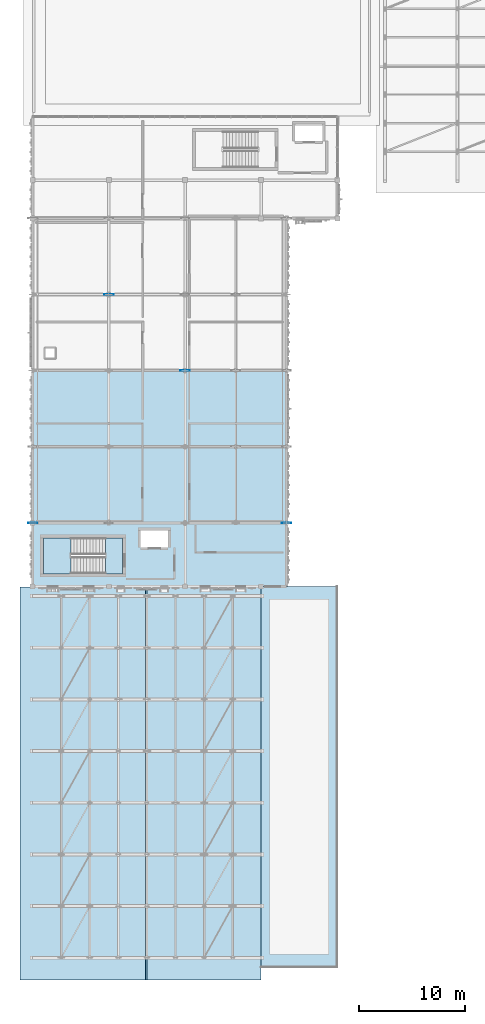
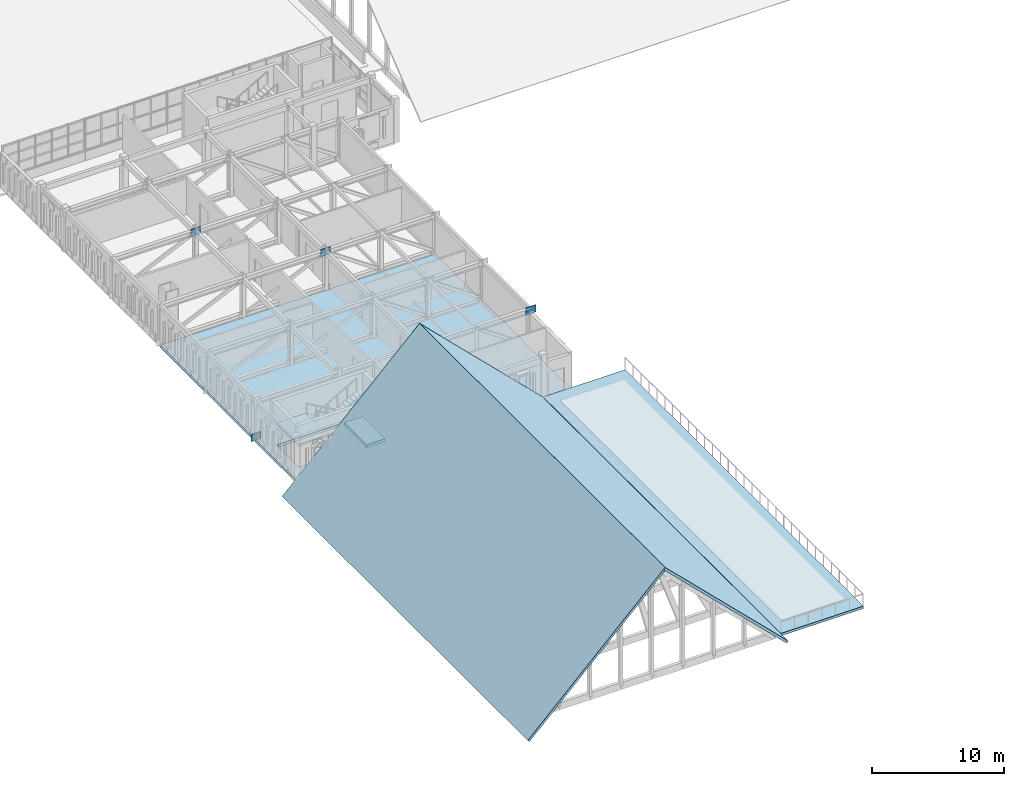
# One storey, part 32 of 79: 6 slabs, 4 plates, 1 element without a shape of its own.
"""IFC4 building model written with IfcOpenShell, lengths in metres."""

from ifc_helpers import new_model, si_unit, direction, frame, origin, origin_2d, place, context, subcontext, project, spatial, polyline, rectangle, outline, extrude, material, layer, layer_set, type_object, element, aggregate, save


model = new_model("IFC4")

# Units and contexts
model_context = context("Model", 3, precision=1e-05, world=origin(), true_north=direction((0.0, 1.0)))
body_context = subcontext(model_context, "Body", "Model", "MODEL_VIEW")
ifc_project = project(units=[si_unit("LENGTHUNIT", "METRE"), si_unit("AREAUNIT", "SQUARE_METRE"), si_unit("VOLUMEUNIT", "CUBIC_METRE"), si_unit("PLANEANGLEUNIT", "RADIAN"), si_unit("MASSUNIT", "GRAM", prefix="KILO")], contexts=[model_context])

# Site, building, storey
site_placement = place(None, origin())
site = spatial("IfcSite", under=ifc_project, at=site_placement, CompositionType="ELEMENT")
building_placement = place(site_placement, origin())
building = spatial("IfcBuilding", under=site, at=building_placement, Name="Nzembalo Square Collegiate School", CompositionType="ELEMENT")
storey_placement = place(building_placement, frame((0.0, 0.0, 9.52001953125)))
storey = spatial("IfcBuildingStorey", under=building, at=storey_placement, Name="L02", CompositionType="ELEMENT", Elevation=9.52001953125)

# Stair, slab
ifc_material_1 = material(Name="Precast concrete C40/50", Category="concrete")
stair_type = type_object("IfcStairType", Name="ST-24R", PredefinedType="HALF_TURN_STAIR", material=ifc_material_1)
stair_placement = place(storey_placement, origin())
stair = element("IfcStair", 1, at=stair_placement, inside=storey, type_object=stair_type, Name="Escape stair ST-04 (C1 L02)", PredefinedType="HALF_TURN_STAIR")
ifc_material_2 = material(Name="Precast concrete C40/50", Category="concrete")
ifc_layer_1 = layer(ifc_material_2, 0.199951171875, Name="Precast concrete C40/50")
ifc_layer_set_1 = layer_set([ifc_layer_1], Name="Precast concrete C40/50")
slab_type_1 = type_object("IfcSlabType", Name="SL-LDG", PredefinedType="LANDING", material=ifc_layer_set_1)
slab_1_placement = place(storey_placement, frame((0.0, 0.0, 1.840087890625)))
slab_1 = element("IfcSlab", 2, at=slab_1_placement, type_object=slab_type_1, Name="ST-04 landing 1", PredefinedType="LANDING", context=body_context, shape_type="SweptSolid", body=[
    extrude(outline(polyline([(12.0, 49.0), (9.39990234375, 49.0), (9.39990234375, 45.60009765625), (12.0, 45.60009765625), (12.0, 49.0)])), origin(), (0.0, 0.0, 1.0), 0.199951171875),
])
aggregate(stair, [slab_1])

# Plates
ifc_material_3 = material(Name="Steel S355", Category="steel")
ifc_layer_2 = layer(ifc_material_3, 0.033935546875, Name="Steel S355")
ifc_layer_set_2 = layer_set([ifc_layer_2], Name="Steel S355")
plate_type_1 = type_object("IfcPlateType", Name="KN01", PredefinedType="SHEET", material=ifc_layer_set_2)
for number, where, z_axis, x_axis, name in (
    (3, (32.39990234375, 50.39990234375, 3.22021484375), (0.0, 0.0, 1.0), (1.0, 0.0, 0.0), "TT-4A-01 transfer gusset plate KN01"),
    (4, (22.800048828125, 64.800048828125, 3.22021484375), (0.0, 0.0, 1.0), (1.0, 0.0, 0.0), "TT-4A-03 transfer gusset plate KN01"),
    (5, (15.60009765625, 72.0, 3.22021484375), (0.0, 0.0, 1.0), (1.0, 0.0, 0.0), "TT-4A-04 transfer gusset plate KN01"),
):
    element("IfcPlate", number, at=place(storey_placement, frame(where, z_axis=z_axis, x_axis=x_axis)), inside=storey, type_object=plate_type_1, Name=name, PredefinedType="SHEET", context=body_context, shape_type="SweptSolid", body=[
        extrude(rectangle(XDim=0.8798828125, YDim=0.033935546875, at=origin_2d()), origin(), (0.0, 0.0, 1.0), 0.679931640625),
    ])
ifc_material_4 = material(Name="Steel S355", Category="steel")
ifc_layer_3 = layer(ifc_material_4, 0.031982421875, Name="Steel S355")
ifc_layer_set_3 = layer_set([ifc_layer_3], Name="Steel S355")
plate_type_2 = type_object("IfcPlateType", Name="KN02", PredefinedType="SHEET", material=ifc_layer_set_3)
plate_placement = place(storey_placement, frame((8.39990234375, 50.39990234375, -0.06005859375), z_axis=(0.0, 0.0, 1.0), x_axis=(1.0, 0.0, 0.0)))
element("IfcPlate", 6, at=plate_placement, inside=storey, type_object=plate_type_2, Name="TT-4A-01 transfer gusset plate KN02", PredefinedType="SHEET", context=body_context, shape_type="SweptSolid", body=[
    extrude(rectangle(XDim=0.820068359375, YDim=0.031982421875, at=origin_2d()), origin(), (0.0, 0.0, 1.0), 0.639892578125),
])

# Slabs
ifc_material_5 = material(Name="CLT CL24", Category="wood")
ifc_layer_4 = layer(ifc_material_5, 0.219970703125, Name="CLT CL24")
ifc_layer_set_4 = layer_set([ifc_layer_4], Name="CLT CL24")
slab_type_2 = type_object("IfcSlabType", Name="RS-P22", PredefinedType="ROOF", material=ifc_layer_set_4)
slab_2_placement = place(storey_placement, frame((7.199951171875, 7.199951171875, -1.177734375), z_axis=(-0.700469359956, 0.0, 0.713682475448), x_axis=(0.713682475448, 0.0, 0.700469359956)))
element("IfcSlab", 7, at=slab_2_placement, inside=storey, type_object=slab_type_2, Name="Sports Hall Roof W slope RS-SH1-W", PredefinedType="ROOF", context=body_context, shape_type="SweptSolid", body=[
    extrude(outline(polyline([(0.0, 0.0), (16.814200169985444, 0.0), (16.814200169985444, 37.16015625000001), (0.0, 37.16015625000001), (0.0, 0.0)])), origin(), (0.0, 0.0, -1.0), 0.219970703125),
])
slab_3_placement = place(storey_placement, frame((19.199951171875, 7.199951171875, 10.60009765625), z_axis=(0.700469091135, 0.0, 0.713682739293), x_axis=(0.713682739293, 0.0, -0.700469091135)))
element("IfcSlab", 8, at=slab_3_placement, inside=storey, type_object=slab_type_2, Name="Sports Hall Roof E slope RS-SH1-E", PredefinedType="ROOF", context=body_context, shape_type="SweptSolid", body=[
    extrude(outline(polyline([(0.0, 0.0), (15.076740928730292, 0.0), (15.076740928730292, 37.16015625), (0.0, 37.16015625), (0.0, 0.0)])), origin(), (0.0, 0.0, -1.0), 0.219970703125),
])
ifc_material_6 = material(Name="Concrete C35/45", Category="concrete")
ifc_layer_5 = layer(ifc_material_6, 0.22998046875, Name="Concrete C35/45")
ifc_layer_set_5 = layer_set([ifc_layer_5], Name="Concrete C35/45")
slab_type_3 = type_object("IfcSlabType", Name="SL-02E", PredefinedType="FLOOR", material=ifc_layer_set_5)
slab_4_placement = place(storey_placement, frame((0.0, 0.0, -0.22998046875)))
element("IfcSlab", 9, at=slab_4_placement, inside=storey, type_object=slab_type_3, Name="Slab SL-L02-63", PredefinedType="FLOOR", context=body_context, shape_type="SweptSolid", body=[
    extrude(outline(polyline([(30.0, 8.39990234375), (37.199951171875, 8.39990234375), (37.199951171875, 44.39990234375), (30.0, 44.39990234375), (30.0, 8.39990234375)])), origin(), (0.0, 0.0, 1.0), 0.22998046875),
])
ifc_material_7 = material(Name="CLT CL24", Category="wood")
ifc_layer_6 = layer(ifc_material_7, 0.278076171875, Name="CLT CL24")
ifc_layer_set_6 = layer_set([ifc_layer_6], Name="CLT CL24")
slab_type_4 = type_object("IfcSlabType", Name="SL-02", PredefinedType="FLOOR", material=ifc_layer_set_6)
slab_5_placement = place(storey_placement, frame((0.0, 0.0, -0.278076171875)))
element("IfcSlab", 10, at=slab_5_placement, inside=storey, type_object=slab_type_4, Name="Slab SL-L02-53", PredefinedType="FLOOR", context=body_context, shape_type="SweptSolid", body=[
    extrude(outline(polyline([(8.39990234375, 44.39990234375), (32.39990234375, 44.39990234375), (32.39990234375, 64.800048828125), (8.39990234375, 64.800048828125), (8.39990234375, 44.39990234375)]), holes=[polyline([(18.60009765625, 48.10009765625), (21.199951171875, 48.10009765625), (21.199951171875, 49.699951171875), (18.60009765625, 49.699951171875), (18.60009765625, 48.10009765625)]), polyline([(16.89990234375, 49.0), (9.39990234375, 49.0), (9.39990234375, 45.60009765625), (16.89990234375, 45.60009765625), (16.89990234375, 49.0)])]), origin(), (0.0, 0.0, 1.0), 0.278076171875),
])
slab_6_placement = place(storey_placement, frame((0.0, 0.0, -0.278076171875)))
element("IfcSlab", 11, at=slab_6_placement, inside=storey, type_object=slab_type_4, Name="Core C1 floor landing slab SL-L02-C1", PredefinedType="FLOOR", context=body_context, shape_type="SweptSolid", body=[
    extrude(outline(polyline([(15.300048828125, 45.60009765625), (16.89990234375, 45.60009765625), (16.89990234375, 49.0), (15.300048828125, 49.0), (15.300048828125, 45.60009765625)])), origin(), (0.0, 0.0, 1.0), 0.278076171875),
])

save(model, "model.ifc")
